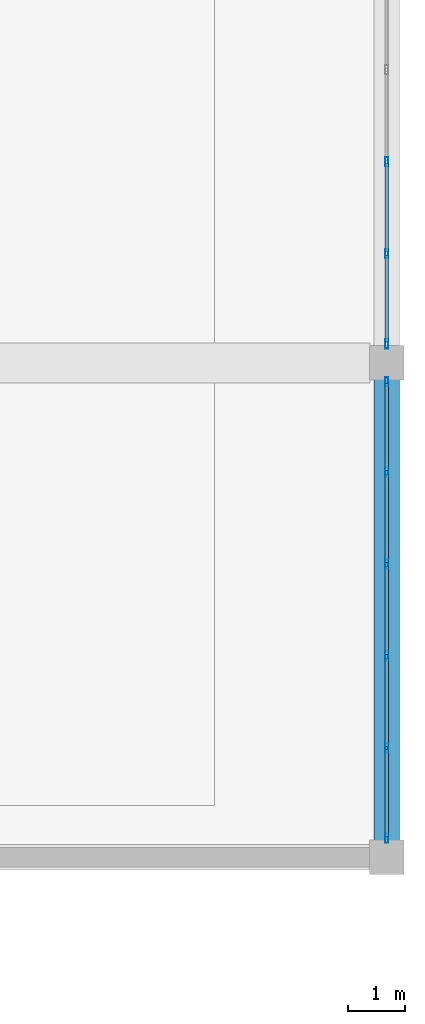
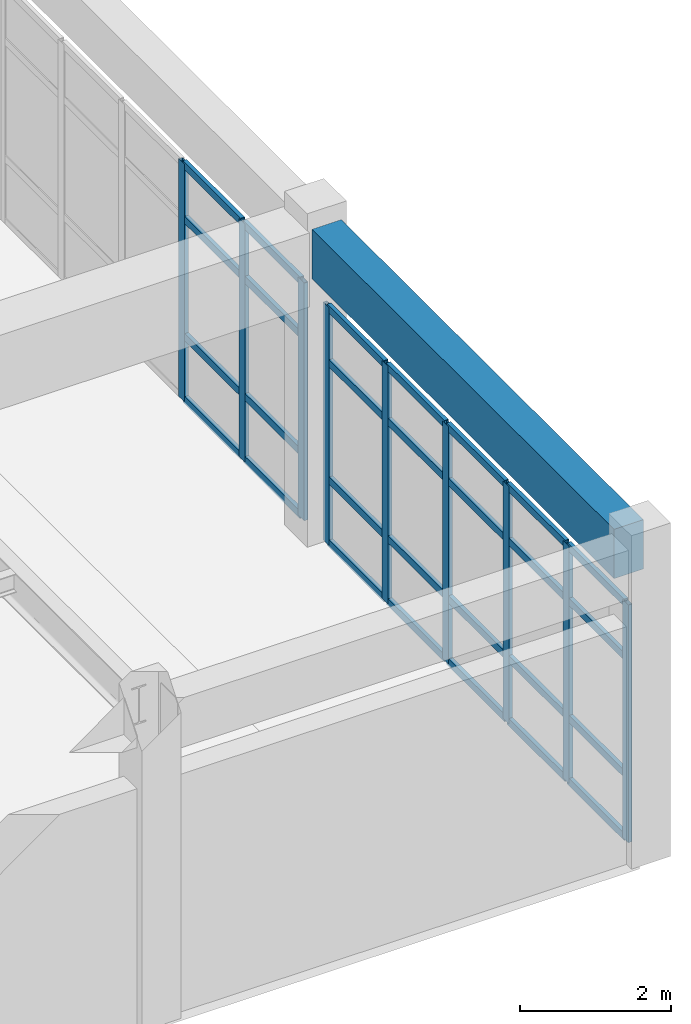
# One storey, part 12 of 38: 37 members, 1 beam, 2 elements without a shape of their own.
"""IFC4 building model written with IfcOpenShell, lengths in metres."""

from ifc_helpers import new_model, si_unit, direction, frame, origin, origin_2d, place, context, subcontext, project, spatial, rectangle, hollow_rectangle, extrude, material, layer, layer_set, material_profile, profile_set, type_object, element, aggregate, save


model = new_model("IFC4")

# Units and contexts
model_context = context("Model", 3, precision=1e-05, world=origin(), true_north=direction((0.0, 1.0)))
body_context = subcontext(model_context, "Body", "Model", "MODEL_VIEW")
ifc_project = project(units=[si_unit("LENGTHUNIT", "METRE"), si_unit("AREAUNIT", "SQUARE_METRE"), si_unit("VOLUMEUNIT", "CUBIC_METRE"), si_unit("PLANEANGLEUNIT", "RADIAN"), si_unit("MASSUNIT", "GRAM", prefix="KILO")], contexts=[model_context])

# Site, building, storey
site_placement = place(None, origin())
site = spatial("IfcSite", under=ifc_project, at=site_placement, CompositionType="ELEMENT")
building_placement = place(site_placement, origin())
building = spatial("IfcBuilding", under=site, at=building_placement, Name="Muzn Square Opera House", CompositionType="ELEMENT")
storey_placement = place(building_placement, frame((0.0, 0.0, 18.0)))
storey = spatial("IfcBuildingStorey", under=building, at=storey_placement, Name="L04", CompositionType="ELEMENT", Elevation=18.0)

# Curtain wall, members
ifc_material_1 = material(Name="Low-E laminated acoustic double glazing", Category="glass")
ifc_layer = layer(ifc_material_1, 0.159912109375, Name="Low-E laminated acoustic double glazing", Category="glass")
ifc_layer_set = layer_set([ifc_layer], Name="Low-E laminated acoustic double glazing")
curtain_wall_type = type_object("IfcCurtainWallType", Name="Glazed Curtain Wall RehearsalEast 8000x3850", PredefinedType="USERDEFINED", material=ifc_layer_set)
curtain_wall_1_placement = place(storey_placement, origin())
curtain_wall_1 = element("IfcCurtainWall", 1, at=curtain_wall_1_placement, inside=storey, type_object=curtain_wall_type, Name="Glazed Curtain Wall CW-L04-130", ObjectType="GLAZED CURTAIN WALL", PredefinedType="USERDEFINED")
ifc_material_2 = material(Name="Anodised bronze aluminium 6063-T6", Category="metal")
ifc_material_profile_1 = material_profile(ifc_material_2, hollow_rectangle(XDim=0.06005859375, YDim=0.159912109375, WallThickness=0.00390625, at=origin_2d()), Name="ALU 160x60x4", Category="metal")
ifc_profile_set_1 = profile_set([ifc_material_profile_1], Name="Anodised bronze aluminium 6063-T6")
member_type_1 = type_object("IfcMemberType", Name="Curtain Wall Mullion 160x60", PredefinedType="MULLION", material=ifc_profile_set_1)
member_1_placement = place(storey_placement, frame((170.0, 72.929931640625, 0.0), z_axis=(0.0, 0.0, 1.0), x_axis=(-1.0, 0.0, 0.0)))
member_1 = element("IfcMember", 2, at=member_1_placement, type_object=member_type_1, Name="CW-RHE-80x38 mullion 1", PredefinedType="MULLION", context=body_context, shape_type="SweptSolid", body=[
    extrude(hollow_rectangle(XDim=0.06005859375, YDim=0.159912109375, WallThickness=0.00390625, at=origin_2d()), origin(), (0.0, 0.0, 1.0), 3.85009765625),
])
member_2_placement = place(storey_placement, frame((170.0, 74.5, 0.0), z_axis=(0.0, 0.0, 1.0), x_axis=(-1.0, 0.0, 0.0)))
member_2 = element("IfcMember", 3, at=member_2_placement, type_object=member_type_1, Name="CW-RHE-80x38 mullion 2", PredefinedType="MULLION", context=body_context, shape_type="SweptSolid", body=[
    extrude(hollow_rectangle(XDim=0.06005859375, YDim=0.159912109375, WallThickness=0.00390625, at=origin_2d()), origin(), (0.0, 0.0, 1.0), 3.85009765625),
])
member_3_placement = place(storey_placement, frame((170.0, 76.10009765625, 0.0), z_axis=(0.0, 0.0, 1.0), x_axis=(-1.0, 0.0, 0.0)))
member_3 = element("IfcMember", 4, at=member_3_placement, type_object=member_type_1, Name="CW-RHE-80x38 mullion 3", PredefinedType="MULLION", context=body_context, shape_type="SweptSolid", body=[
    extrude(hollow_rectangle(XDim=0.06005859375, YDim=0.159912109375, WallThickness=0.00390625, at=origin_2d()), origin(), (0.0, 0.0, 1.0), 3.85009765625),
])
member_4_placement = place(storey_placement, frame((170.0, 77.699951171875, 0.0), z_axis=(0.0, 0.0, 1.0), x_axis=(-1.0, 0.0, 0.0)))
member_4 = element("IfcMember", 5, at=member_4_placement, type_object=member_type_1, Name="CW-RHE-80x38 mullion 4", PredefinedType="MULLION", context=body_context, shape_type="SweptSolid", body=[
    extrude(hollow_rectangle(XDim=0.06005859375, YDim=0.159912109375, WallThickness=0.00390625, at=origin_2d()), origin(), (0.0, 0.0, 1.0), 3.85009765625),
])
member_5_placement = place(storey_placement, frame((170.0, 79.300048828125, 0.0), z_axis=(0.0, 0.0, 1.0), x_axis=(-1.0, 0.0, 0.0)))
member_5 = element("IfcMember", 6, at=member_5_placement, type_object=member_type_1, Name="CW-RHE-80x38 mullion 5", PredefinedType="MULLION", context=body_context, shape_type="SweptSolid", body=[
    extrude(hollow_rectangle(XDim=0.06005859375, YDim=0.159912109375, WallThickness=0.00390625, at=origin_2d()), origin(), (0.0, 0.0, 1.0), 3.85009765625),
])
member_6_placement = place(storey_placement, frame((170.0, 80.8701171875, 0.0), z_axis=(0.0, 0.0, 1.0), x_axis=(-1.0, 0.0, 0.0)))
member_6 = element("IfcMember", 7, at=member_6_placement, type_object=member_type_1, Name="CW-RHE-80x38 mullion 6", PredefinedType="MULLION", context=body_context, shape_type="SweptSolid", body=[
    extrude(hollow_rectangle(XDim=0.06005859375, YDim=0.159912109375, WallThickness=0.00390625, at=origin_2d()), origin(), (0.0, 0.0, 1.0), 3.85009765625),
])

curtain_wall_2_placement = place(storey_placement, origin())
curtain_wall_2 = element("IfcCurtainWall", 8, at=curtain_wall_2_placement, inside=storey, type_object=curtain_wall_type, Name="Glazed Curtain Wall CW-L04-131", ObjectType="GLAZED CURTAIN WALL", PredefinedType="USERDEFINED")
member_7_placement = place(storey_placement, frame((170.0, 81.530029296875, 0.0), z_axis=(0.0, 0.0, 1.0), x_axis=(-1.0, 0.0, 0.0)))
member_7 = element("IfcMember", 9, at=member_7_placement, type_object=member_type_1, Name="CW-RHE-80x38 mullion 1", PredefinedType="MULLION", context=body_context, shape_type="SweptSolid", body=[
    extrude(hollow_rectangle(XDim=0.06005859375, YDim=0.159912109375, WallThickness=0.00390625, at=origin_2d()), origin(), (0.0, 0.0, 1.0), 3.85009765625),
])
member_8_placement = place(storey_placement, frame((170.0, 83.10009765625, 0.0), z_axis=(0.0, 0.0, 1.0), x_axis=(-1.0, 0.0, 0.0)))
member_8 = element("IfcMember", 10, at=member_8_placement, type_object=member_type_1, Name="CW-RHE-80x38 mullion 2", PredefinedType="MULLION", context=body_context, shape_type="SweptSolid", body=[
    extrude(hollow_rectangle(XDim=0.06005859375, YDim=0.159912109375, WallThickness=0.00390625, at=origin_2d()), origin(), (0.0, 0.0, 1.0), 3.85009765625),
])
member_9_placement = place(storey_placement, frame((170.0, 84.699951171875, 0.0), z_axis=(0.0, 0.0, 1.0), x_axis=(-1.0, 0.0, 0.0)))
member_9 = element("IfcMember", 11, at=member_9_placement, type_object=member_type_1, Name="CW-RHE-80x38 mullion 3", PredefinedType="MULLION", context=body_context, shape_type="SweptSolid", body=[
    extrude(hollow_rectangle(XDim=0.06005859375, YDim=0.159912109375, WallThickness=0.00390625, at=origin_2d()), origin(), (0.0, 0.0, 1.0), 3.85009765625),
])

# Member
ifc_material_profile_2 = material_profile(ifc_material_2, hollow_rectangle(XDim=0.06005859375, YDim=0.1201171875, WallThickness=0.00390625, at=origin_2d()), Name="ALU 120x60x4", Category="metal")
ifc_profile_set_2 = profile_set([ifc_material_profile_2], Name="Anodised bronze aluminium 6063-T6")
member_type_2 = type_object("IfcMemberType", Name="Curtain Wall Transom 120x60", PredefinedType="USERDEFINED", material=ifc_profile_set_2)
member_10_placement = place(storey_placement, frame((170.0, 72.9599609375, 0.030029296875), z_axis=(0.0, 1.0, 0.0), x_axis=(-1.0, 0.0, 0.0)))
member_10 = element("IfcMember", 12, at=member_10_placement, type_object=member_type_2, Name="CW-RHE-80x38 transom 1.1", ObjectType="TRANSOM", PredefinedType="USERDEFINED", context=body_context, shape_type="SweptSolid", body=[
    extrude(hollow_rectangle(XDim=0.06005859375, YDim=0.1201171875, WallThickness=0.00390625, at=origin_2d()), origin(), (0.0, 0.0, 1.0), 1.510009765625),
])

member_11_placement = place(storey_placement, frame((170.0, 72.9599609375, 1.050048828125), z_axis=(0.0, 1.0, 0.0), x_axis=(-1.0, 0.0, 0.0)))
member_11 = element("IfcMember", 13, at=member_11_placement, type_object=member_type_2, Name="CW-RHE-80x38 transom 1.2", ObjectType="TRANSOM", PredefinedType="USERDEFINED", context=body_context, shape_type="SweptSolid", body=[
    extrude(hollow_rectangle(XDim=0.06005859375, YDim=0.1201171875, WallThickness=0.00390625, at=origin_2d()), origin(), (0.0, 0.0, 1.0), 1.510009765625),
])

member_12_placement = place(storey_placement, frame((170.0, 72.9599609375, 2.949951171875), z_axis=(0.0, 1.0, 0.0), x_axis=(-1.0, 0.0, 0.0)))
member_12 = element("IfcMember", 14, at=member_12_placement, type_object=member_type_2, Name="CW-RHE-80x38 transom 1.3", ObjectType="TRANSOM", PredefinedType="USERDEFINED", context=body_context, shape_type="SweptSolid", body=[
    extrude(hollow_rectangle(XDim=0.06005859375, YDim=0.1201171875, WallThickness=0.00390625, at=origin_2d()), origin(), (0.0, 0.0, 1.0), 1.510009765625),
])

member_13_placement = place(storey_placement, frame((170.0, 72.9599609375, 3.820068359375), z_axis=(0.0, 1.0, 0.0), x_axis=(-1.0, 0.0, 0.0)))
member_13 = element("IfcMember", 15, at=member_13_placement, type_object=member_type_2, Name="CW-RHE-80x38 transom 1.4", ObjectType="TRANSOM", PredefinedType="USERDEFINED", context=body_context, shape_type="SweptSolid", body=[
    extrude(hollow_rectangle(XDim=0.06005859375, YDim=0.1201171875, WallThickness=0.00390625, at=origin_2d()), origin(), (0.0, 0.0, 1.0), 1.510009765625),
])

member_14_placement = place(storey_placement, frame((170.0, 74.530029296875, 0.030029296875), z_axis=(0.0, 1.0, 0.0), x_axis=(-1.0, 0.0, 0.0)))
member_14 = element("IfcMember", 16, at=member_14_placement, type_object=member_type_2, Name="CW-RHE-80x38 transom 2.1", ObjectType="TRANSOM", PredefinedType="USERDEFINED", context=body_context, shape_type="SweptSolid", body=[
    extrude(hollow_rectangle(XDim=0.06005859375, YDim=0.1201171875, WallThickness=0.00390625, at=origin_2d()), origin(), (0.0, 0.0, 1.0), 1.5400390625),
])

member_15_placement = place(storey_placement, frame((170.0, 74.530029296875, 1.050048828125), z_axis=(0.0, 1.0, 0.0), x_axis=(-1.0, 0.0, 0.0)))
member_15 = element("IfcMember", 17, at=member_15_placement, type_object=member_type_2, Name="CW-RHE-80x38 transom 2.2", ObjectType="TRANSOM", PredefinedType="USERDEFINED", context=body_context, shape_type="SweptSolid", body=[
    extrude(hollow_rectangle(XDim=0.06005859375, YDim=0.1201171875, WallThickness=0.00390625, at=origin_2d()), origin(), (0.0, 0.0, 1.0), 1.5400390625),
])

member_16_placement = place(storey_placement, frame((170.0, 74.530029296875, 2.949951171875), z_axis=(0.0, 1.0, 0.0), x_axis=(-1.0, 0.0, 0.0)))
member_16 = element("IfcMember", 18, at=member_16_placement, type_object=member_type_2, Name="CW-RHE-80x38 transom 2.3", ObjectType="TRANSOM", PredefinedType="USERDEFINED", context=body_context, shape_type="SweptSolid", body=[
    extrude(hollow_rectangle(XDim=0.06005859375, YDim=0.1201171875, WallThickness=0.00390625, at=origin_2d()), origin(), (0.0, 0.0, 1.0), 1.5400390625),
])

member_17_placement = place(storey_placement, frame((170.0, 74.530029296875, 3.820068359375), z_axis=(0.0, 1.0, 0.0), x_axis=(-1.0, 0.0, 0.0)))
member_17 = element("IfcMember", 19, at=member_17_placement, type_object=member_type_2, Name="CW-RHE-80x38 transom 2.4", ObjectType="TRANSOM", PredefinedType="USERDEFINED", context=body_context, shape_type="SweptSolid", body=[
    extrude(hollow_rectangle(XDim=0.06005859375, YDim=0.1201171875, WallThickness=0.00390625, at=origin_2d()), origin(), (0.0, 0.0, 1.0), 1.5400390625),
])

member_18_placement = place(storey_placement, frame((170.0, 76.1298828125, 0.030029296875), z_axis=(0.0, 1.0, 0.0), x_axis=(-1.0, 0.0, 0.0)))
member_18 = element("IfcMember", 20, at=member_18_placement, type_object=member_type_2, Name="CW-RHE-80x38 transom 3.1", ObjectType="TRANSOM", PredefinedType="USERDEFINED", context=body_context, shape_type="SweptSolid", body=[
    extrude(hollow_rectangle(XDim=0.06005859375, YDim=0.1201171875, WallThickness=0.00390625, at=origin_2d()), origin(), (0.0, 0.0, 1.0), 1.5400390625),
])

member_19_placement = place(storey_placement, frame((170.0, 76.1298828125, 1.050048828125), z_axis=(0.0, 1.0, 0.0), x_axis=(-1.0, 0.0, 0.0)))
member_19 = element("IfcMember", 21, at=member_19_placement, type_object=member_type_2, Name="CW-RHE-80x38 transom 3.2", ObjectType="TRANSOM", PredefinedType="USERDEFINED", context=body_context, shape_type="SweptSolid", body=[
    extrude(hollow_rectangle(XDim=0.06005859375, YDim=0.1201171875, WallThickness=0.00390625, at=origin_2d()), origin(), (0.0, 0.0, 1.0), 1.5400390625),
])

member_20_placement = place(storey_placement, frame((170.0, 76.1298828125, 2.949951171875), z_axis=(0.0, 1.0, 0.0), x_axis=(-1.0, 0.0, 0.0)))
member_20 = element("IfcMember", 22, at=member_20_placement, type_object=member_type_2, Name="CW-RHE-80x38 transom 3.3", ObjectType="TRANSOM", PredefinedType="USERDEFINED", context=body_context, shape_type="SweptSolid", body=[
    extrude(hollow_rectangle(XDim=0.06005859375, YDim=0.1201171875, WallThickness=0.00390625, at=origin_2d()), origin(), (0.0, 0.0, 1.0), 1.5400390625),
])

member_21_placement = place(storey_placement, frame((170.0, 76.1298828125, 3.820068359375), z_axis=(0.0, 1.0, 0.0), x_axis=(-1.0, 0.0, 0.0)))
member_21 = element("IfcMember", 23, at=member_21_placement, type_object=member_type_2, Name="CW-RHE-80x38 transom 3.4", ObjectType="TRANSOM", PredefinedType="USERDEFINED", context=body_context, shape_type="SweptSolid", body=[
    extrude(hollow_rectangle(XDim=0.06005859375, YDim=0.1201171875, WallThickness=0.00390625, at=origin_2d()), origin(), (0.0, 0.0, 1.0), 1.5400390625),
])

member_22_placement = place(storey_placement, frame((170.0, 77.72998046875, 0.030029296875), z_axis=(0.0, 1.0, 0.0), x_axis=(-1.0, 0.0, 0.0)))
member_22 = element("IfcMember", 24, at=member_22_placement, type_object=member_type_2, Name="CW-RHE-80x38 transom 4.1", ObjectType="TRANSOM", PredefinedType="USERDEFINED", context=body_context, shape_type="SweptSolid", body=[
    extrude(hollow_rectangle(XDim=0.06005859375, YDim=0.1201171875, WallThickness=0.00390625, at=origin_2d()), origin(), (0.0, 0.0, 1.0), 1.5400390625),
])

member_23_placement = place(storey_placement, frame((170.0, 77.72998046875, 1.050048828125), z_axis=(0.0, 1.0, 0.0), x_axis=(-1.0, 0.0, 0.0)))
member_23 = element("IfcMember", 25, at=member_23_placement, type_object=member_type_2, Name="CW-RHE-80x38 transom 4.2", ObjectType="TRANSOM", PredefinedType="USERDEFINED", context=body_context, shape_type="SweptSolid", body=[
    extrude(hollow_rectangle(XDim=0.06005859375, YDim=0.1201171875, WallThickness=0.00390625, at=origin_2d()), origin(), (0.0, 0.0, 1.0), 1.5400390625),
])

member_24_placement = place(storey_placement, frame((170.0, 77.72998046875, 2.949951171875), z_axis=(0.0, 1.0, 0.0), x_axis=(-1.0, 0.0, 0.0)))
member_24 = element("IfcMember", 26, at=member_24_placement, type_object=member_type_2, Name="CW-RHE-80x38 transom 4.3", ObjectType="TRANSOM", PredefinedType="USERDEFINED", context=body_context, shape_type="SweptSolid", body=[
    extrude(hollow_rectangle(XDim=0.06005859375, YDim=0.1201171875, WallThickness=0.00390625, at=origin_2d()), origin(), (0.0, 0.0, 1.0), 1.5400390625),
])

member_25_placement = place(storey_placement, frame((170.0, 77.72998046875, 3.820068359375), z_axis=(0.0, 1.0, 0.0), x_axis=(-1.0, 0.0, 0.0)))
member_25 = element("IfcMember", 27, at=member_25_placement, type_object=member_type_2, Name="CW-RHE-80x38 transom 4.4", ObjectType="TRANSOM", PredefinedType="USERDEFINED", context=body_context, shape_type="SweptSolid", body=[
    extrude(hollow_rectangle(XDim=0.06005859375, YDim=0.1201171875, WallThickness=0.00390625, at=origin_2d()), origin(), (0.0, 0.0, 1.0), 1.5400390625),
])

member_26_placement = place(storey_placement, frame((170.0, 79.330078125, 0.030029296875), z_axis=(0.0, 1.0, 0.0), x_axis=(-1.0, 0.0, 0.0)))
member_26 = element("IfcMember", 28, at=member_26_placement, type_object=member_type_2, Name="CW-RHE-80x38 transom 5.1", ObjectType="TRANSOM", PredefinedType="USERDEFINED", context=body_context, shape_type="SweptSolid", body=[
    extrude(hollow_rectangle(XDim=0.06005859375, YDim=0.1201171875, WallThickness=0.00390625, at=origin_2d()), origin(), (0.0, 0.0, 1.0), 1.510009765625),
])

member_27_placement = place(storey_placement, frame((170.0, 79.330078125, 1.050048828125), z_axis=(0.0, 1.0, 0.0), x_axis=(-1.0, 0.0, 0.0)))
member_27 = element("IfcMember", 29, at=member_27_placement, type_object=member_type_2, Name="CW-RHE-80x38 transom 5.2", ObjectType="TRANSOM", PredefinedType="USERDEFINED", context=body_context, shape_type="SweptSolid", body=[
    extrude(hollow_rectangle(XDim=0.06005859375, YDim=0.1201171875, WallThickness=0.00390625, at=origin_2d()), origin(), (0.0, 0.0, 1.0), 1.510009765625),
])

member_28_placement = place(storey_placement, frame((170.0, 79.330078125, 2.949951171875), z_axis=(0.0, 1.0, 0.0), x_axis=(-1.0, 0.0, 0.0)))
member_28 = element("IfcMember", 30, at=member_28_placement, type_object=member_type_2, Name="CW-RHE-80x38 transom 5.3", ObjectType="TRANSOM", PredefinedType="USERDEFINED", context=body_context, shape_type="SweptSolid", body=[
    extrude(hollow_rectangle(XDim=0.06005859375, YDim=0.1201171875, WallThickness=0.00390625, at=origin_2d()), origin(), (0.0, 0.0, 1.0), 1.510009765625),
])

member_29_placement = place(storey_placement, frame((170.0, 79.330078125, 3.820068359375), z_axis=(0.0, 1.0, 0.0), x_axis=(-1.0, 0.0, 0.0)))
member_29 = element("IfcMember", 31, at=member_29_placement, type_object=member_type_2, Name="CW-RHE-80x38 transom 5.4", ObjectType="TRANSOM", PredefinedType="USERDEFINED", context=body_context, shape_type="SweptSolid", body=[
    extrude(hollow_rectangle(XDim=0.06005859375, YDim=0.1201171875, WallThickness=0.00390625, at=origin_2d()), origin(), (0.0, 0.0, 1.0), 1.510009765625),
])

aggregate(curtain_wall_1, [member_1, member_2, member_3, member_4, member_5, member_6, member_10, member_11, member_12, member_13, member_14, member_15, member_16, member_17, member_18, member_19, member_20, member_21, member_22, member_23, member_24, member_25, member_26, member_27, member_28, member_29])

member_30_placement = place(storey_placement, frame((170.0, 81.56005859375, 0.030029296875), z_axis=(0.0, 1.0, 0.0), x_axis=(-1.0, 0.0, 0.0)))
member_30 = element("IfcMember", 32, at=member_30_placement, type_object=member_type_2, Name="CW-RHE-80x38 transom 1.1", ObjectType="TRANSOM", PredefinedType="USERDEFINED", context=body_context, shape_type="SweptSolid", body=[
    extrude(hollow_rectangle(XDim=0.06005859375, YDim=0.1201171875, WallThickness=0.00390625, at=origin_2d()), origin(), (0.0, 0.0, 1.0), 1.510009765625),
])

member_31_placement = place(storey_placement, frame((170.0, 81.56005859375, 1.050048828125), z_axis=(0.0, 1.0, 0.0), x_axis=(-1.0, 0.0, 0.0)))
member_31 = element("IfcMember", 33, at=member_31_placement, type_object=member_type_2, Name="CW-RHE-80x38 transom 1.2", ObjectType="TRANSOM", PredefinedType="USERDEFINED", context=body_context, shape_type="SweptSolid", body=[
    extrude(hollow_rectangle(XDim=0.06005859375, YDim=0.1201171875, WallThickness=0.00390625, at=origin_2d()), origin(), (0.0, 0.0, 1.0), 1.510009765625),
])

member_32_placement = place(storey_placement, frame((170.0, 81.56005859375, 2.949951171875), z_axis=(0.0, 1.0, 0.0), x_axis=(-1.0, 0.0, 0.0)))
member_32 = element("IfcMember", 34, at=member_32_placement, type_object=member_type_2, Name="CW-RHE-80x38 transom 1.3", ObjectType="TRANSOM", PredefinedType="USERDEFINED", context=body_context, shape_type="SweptSolid", body=[
    extrude(hollow_rectangle(XDim=0.06005859375, YDim=0.1201171875, WallThickness=0.00390625, at=origin_2d()), origin(), (0.0, 0.0, 1.0), 1.510009765625),
])

member_33_placement = place(storey_placement, frame((170.0, 81.56005859375, 3.820068359375), z_axis=(0.0, 1.0, 0.0), x_axis=(-1.0, 0.0, 0.0)))
member_33 = element("IfcMember", 35, at=member_33_placement, type_object=member_type_2, Name="CW-RHE-80x38 transom 1.4", ObjectType="TRANSOM", PredefinedType="USERDEFINED", context=body_context, shape_type="SweptSolid", body=[
    extrude(hollow_rectangle(XDim=0.06005859375, YDim=0.1201171875, WallThickness=0.00390625, at=origin_2d()), origin(), (0.0, 0.0, 1.0), 1.510009765625),
])

member_34_placement = place(storey_placement, frame((170.0, 83.1298828125, 0.030029296875), z_axis=(0.0, 1.0, 0.0), x_axis=(-1.0, 0.0, 0.0)))
member_34 = element("IfcMember", 36, at=member_34_placement, type_object=member_type_2, Name="CW-RHE-80x38 transom 2.1", ObjectType="TRANSOM", PredefinedType="USERDEFINED", context=body_context, shape_type="SweptSolid", body=[
    extrude(hollow_rectangle(XDim=0.06005859375, YDim=0.1201171875, WallThickness=0.00390625, at=origin_2d()), origin(), (0.0, 0.0, 1.0), 1.5400390625),
])

member_35_placement = place(storey_placement, frame((170.0, 83.1298828125, 1.050048828125), z_axis=(0.0, 1.0, 0.0), x_axis=(-1.0, 0.0, 0.0)))
member_35 = element("IfcMember", 37, at=member_35_placement, type_object=member_type_2, Name="CW-RHE-80x38 transom 2.2", ObjectType="TRANSOM", PredefinedType="USERDEFINED", context=body_context, shape_type="SweptSolid", body=[
    extrude(hollow_rectangle(XDim=0.06005859375, YDim=0.1201171875, WallThickness=0.00390625, at=origin_2d()), origin(), (0.0, 0.0, 1.0), 1.5400390625),
])

member_36_placement = place(storey_placement, frame((170.0, 83.1298828125, 2.949951171875), z_axis=(0.0, 1.0, 0.0), x_axis=(-1.0, 0.0, 0.0)))
member_36 = element("IfcMember", 38, at=member_36_placement, type_object=member_type_2, Name="CW-RHE-80x38 transom 2.3", ObjectType="TRANSOM", PredefinedType="USERDEFINED", context=body_context, shape_type="SweptSolid", body=[
    extrude(hollow_rectangle(XDim=0.06005859375, YDim=0.1201171875, WallThickness=0.00390625, at=origin_2d()), origin(), (0.0, 0.0, 1.0), 1.5400390625),
])

member_37_placement = place(storey_placement, frame((170.0, 83.1298828125, 3.820068359375), z_axis=(0.0, 1.0, 0.0), x_axis=(-1.0, 0.0, 0.0)))
member_37 = element("IfcMember", 39, at=member_37_placement, type_object=member_type_2, Name="CW-RHE-80x38 transom 2.4", ObjectType="TRANSOM", PredefinedType="USERDEFINED", context=body_context, shape_type="SweptSolid", body=[
    extrude(hollow_rectangle(XDim=0.06005859375, YDim=0.1201171875, WallThickness=0.00390625, at=origin_2d()), origin(), (0.0, 0.0, 1.0), 1.5400390625),
])

aggregate(curtain_wall_2, [member_7, member_8, member_9, member_30, member_31, member_32, member_33, member_34, member_35, member_36, member_37])

# Beam
ifc_material_3 = material(Name="Concrete C40/50", Category="concrete")
ifc_material_profile_3 = material_profile(ifc_material_3, rectangle(XDim=0.449951171875, YDim=0.800048828125, at=origin_2d()), Name="RCB 450x800", Category="concrete")
ifc_profile_set_3 = profile_set([ifc_material_profile_3], Name="Concrete C40/50")
beam_type = type_object("IfcBeamType", Name="Primary Girder 450x800", PredefinedType="BEAM", material=ifc_profile_set_3)
beam_placement = place(storey_placement, frame((170.0, 72.89208984375, 4.719970703125), z_axis=(0.0, 1.0, 0.0), x_axis=(-1.0, 0.0, 0.0)))
element("IfcBeam", 40, at=beam_placement, inside=storey, type_object=beam_type, Name="Primary Girder BM-L04-BM-PG800-1700_729_1700_809-2721", PredefinedType="BEAM", context=body_context, shape_type="SweptSolid", body=[
    extrude(rectangle(XDim=0.449951171875, YDim=0.800048828125, at=origin_2d()), origin(), (0.0, 0.0, 1.0), 8.015869140625),
])

save(model, "model.ifc")
